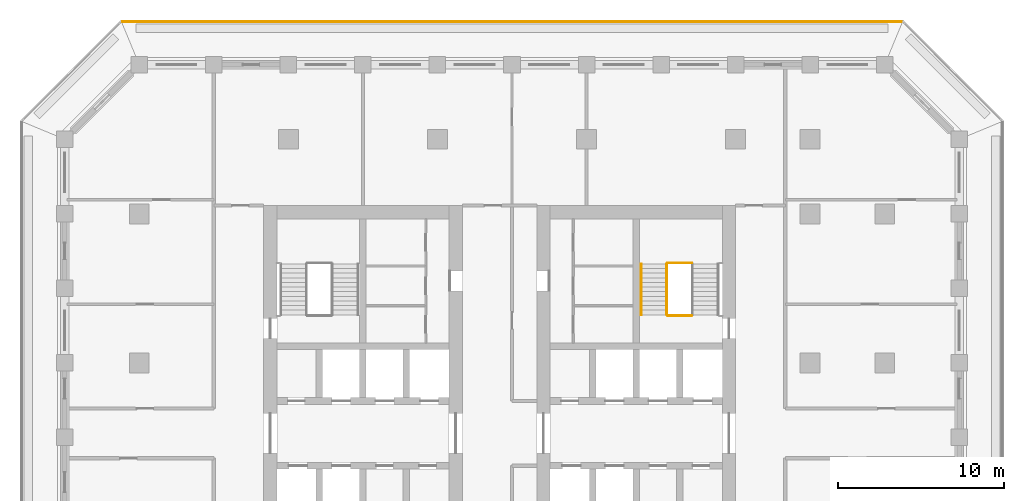
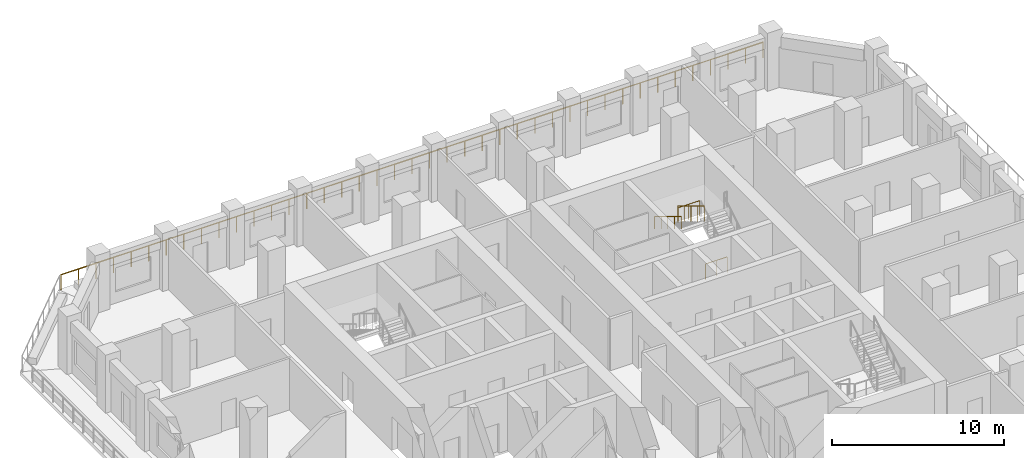
# One storey, part 14 of 16: 5 railings.
"""IFC4 building model written with IfcOpenShell, lengths in metres."""

from ifc_helpers import new_model, si_unit, direction, frame, origin, origin_2d, place, context, subcontext, project, spatial, circle, extrude, material, type_object, element, save


model = new_model("IFC4")

# Units and contexts
model_context = context("Model", 3, precision=1e-05, world=origin(), true_north=direction((0.0, 1.0)))
body_context = subcontext(model_context, "Body", "Model", "MODEL_VIEW")
ifc_project = project(units=[si_unit("LENGTHUNIT", "METRE"), si_unit("AREAUNIT", "SQUARE_METRE"), si_unit("VOLUMEUNIT", "CUBIC_METRE"), si_unit("PLANEANGLEUNIT", "RADIAN"), si_unit("MASSUNIT", "GRAM", prefix="KILO")], contexts=[model_context])

# Site, building, storey
site_placement = place(None, origin())
site = spatial("IfcSite", under=ifc_project, at=site_placement, CompositionType="ELEMENT")
building_placement = place(site_placement, origin())
building = spatial("IfcBuilding", under=site, at=building_placement, Name="Corbel Stack Research Tower", CompositionType="ELEMENT")
storey_placement = place(building_placement, frame((0.0, 0.0, 203.800048828125)))
storey = spatial("IfcBuildingStorey", under=building, at=storey_placement, Name="L46", CompositionType="ELEMENT", Elevation=203.800048828125)

# Railings
ifc_material_1 = material(Name="Steel S355", Category="steel")
railing_type_1 = type_object("IfcRailingType", Name="Stair guard 1100", PredefinedType="GUARDRAIL", material=ifc_material_1)
railing_1_placement = place(storey_placement, frame((15.35009765625, 15.030029296875, 2.050048828125)))
element("IfcRailing", 1, at=railing_1_placement, inside=storey, type_object=railing_type_1, Name="L46 ST-E2 stair guard 2", PredefinedType="GUARDRAIL", context=body_context, shape_type="SweptSolid", body=[
    extrude(circle(Radius=0.02392578125, at=origin_2d()), frame((0.0, 0.0, 1.076171875), z_axis=(-1.0, 0.0, 0.0), x_axis=(0.0, -1.0, 0.0)), (0.0, 0.0, 1.0), 1.4501953125),
    extrude(circle(Radius=0.02099609375, at=origin_2d()), origin(), (0.0, 0.0, 1.0), 1.052001953125),
    extrude(circle(Radius=0.02099609375, at=origin_2d()), frame((-0.72509765625, 0.0, 0.0)), (0.0, 0.0, 1.0), 1.052001953125),
    extrude(circle(Radius=0.02099609375, at=origin_2d()), frame((-1.4501953125, 0.0, 0.0)), (0.0, 0.0, 1.0), 1.052001953125),
])
railing_2_placement = place(storey_placement, frame((13.85009765625, 14.97998046875, 2.220703125)))
element("IfcRailing", 2, at=railing_2_placement, inside=storey, type_object=railing_type_1, Name="L46 ST-E2 stair guard 4", PredefinedType="GUARDRAIL", context=body_context, shape_type="SweptSolid", body=[
    extrude(circle(Radius=0.02392578125, at=origin_2d()), frame((0.0, 0.0, 1.076171875), z_axis=(0.0, -0.853666305674, 0.52082035152), x_axis=(1.0, 0.0, 0.0)), (0.0, 0.0, 1.0), 3.608154296875),
    extrude(circle(Radius=0.02099609375, at=origin_2d()), origin(), (0.0, 0.0, 1.0), 1.052001953125),
    extrude(circle(Radius=0.02099609375, at=origin_2d()), frame((0.0, -0.77001953125, 0.4697265625)), (0.0, 0.0, 1.0), 1.052001953125),
    extrude(circle(Radius=0.02099609375, at=origin_2d()), frame((0.0, -1.5400390625, 0.939453125)), (0.0, 0.0, 1.0), 1.052001953125),
    extrude(circle(Radius=0.02099609375, at=origin_2d()), frame((0.0, -2.31005859375, 1.409423828125)), (0.0, 0.0, 1.0), 1.052001953125),
    extrude(circle(Radius=0.02099609375, at=origin_2d()), frame((0.0, -3.080078125, 1.879150390625)), (0.0, 0.0, 1.0), 1.052001953125),
])
railing_3_placement = place(storey_placement, frame((15.35009765625, 11.85009765625, 0.0)))
element("IfcRailing", 3, at=railing_3_placement, inside=storey, type_object=railing_type_1, Name="L46 ST-E2 stair guard 5", PredefinedType="GUARDRAIL", context=body_context, shape_type="SweptSolid", body=[
    extrude(circle(Radius=0.02392578125, at=origin_2d()), frame((0.0, 0.0, 1.076171875), z_axis=(-1.0, 0.0, 0.0), x_axis=(0.0, -1.0, 0.0)), (0.0, 0.0, 1.0), 1.4501953125),
    extrude(circle(Radius=0.02099609375, at=origin_2d()), origin(), (0.0, 0.0, 1.0), 1.052001953125),
    extrude(circle(Radius=0.02099609375, at=origin_2d()), frame((-0.72509765625, 0.0, 0.0)), (0.0, 0.0, 1.0), 1.052001953125),
    extrude(circle(Radius=0.02099609375, at=origin_2d()), frame((-1.4501953125, 0.0, 0.0)), (0.0, 0.0, 1.0), 1.052001953125),
])
ifc_material_2 = material(Name="Steel S355", Category="steel")
railing_type_2 = type_object("IfcRailingType", Name="Stair handrail 900", PredefinedType="HANDRAIL", material=ifc_material_2)
railing_4_placement = place(storey_placement, frame((12.300048828125, 14.97998046875, 2.220703125)))
element("IfcRailing", 4, at=railing_4_placement, inside=storey, type_object=railing_type_2, Name="L46 ST-E2 stair handrail 2", PredefinedType="HANDRAIL", context=body_context, shape_type="SweptSolid", body=[
    extrude(circle(Radius=0.02392578125, at=origin_2d()), frame((0.0, 0.0, 0.8759765625), z_axis=(0.0, -0.853666305674, 0.52082035152), x_axis=(1.0, 0.0, 0.0)), (0.0, 0.0, 1.0), 3.608154296875),
    extrude(circle(Radius=0.02099609375, at=origin_2d()), origin(), (0.0, 0.0, 1.0), 0.851806640625),
    extrude(circle(Radius=0.02099609375, at=origin_2d()), frame((0.0, -0.77001953125, 0.4697265625)), (0.0, 0.0, 1.0), 0.851806640625),
    extrude(circle(Radius=0.02099609375, at=origin_2d()), frame((0.0, -1.5400390625, 0.939453125)), (0.0, 0.0, 1.0), 0.851806640625),
    extrude(circle(Radius=0.02099609375, at=origin_2d()), frame((0.0, -2.31005859375, 1.409423828125)), (0.0, 0.0, 1.0), 0.851806640625),
    extrude(circle(Radius=0.02099609375, at=origin_2d()), frame((0.0, -3.080078125, 1.879150390625)), (0.0, 0.0, 1.0), 0.851806640625),
])
ifc_material_3 = material(Name="Powder-coated steel guard", Category="steel")
railing_type_3 = type_object("IfcRailingType", Name="Steel and glass guard 1100", PredefinedType="GUARDRAIL", material=ifc_material_3)
railing_5_placement = place(storey_placement, frame((28.00537109375, 29.60009765625, 0.0)))
element("IfcRailing", 5, at=railing_5_placement, inside=storey, type_object=railing_type_3, Name="Loggia guard L46 N", PredefinedType="GUARDRAIL", context=body_context, shape_type="SweptSolid", body=[
    extrude(circle(Radius=0.02392578125, at=origin_2d()), frame((0.0, 0.0, 1.076171875), z_axis=(-1.0, 0.0, 0.0), x_axis=(0.0, -1.0, 0.0)), (0.0, 0.0, 1.0), 47.0107421875),
    extrude(circle(Radius=0.02099609375, at=origin_2d()), origin(), (0.0, 0.0, 1.0), 1.052001953125),
    extrude(circle(Radius=0.02099609375, at=origin_2d()), frame((-1.17529296875, 0.0, 0.0)), (0.0, 0.0, 1.0), 1.052001953125),
    extrude(circle(Radius=0.02099609375, at=origin_2d()), frame((-2.3505859375, 0.0, 0.0)), (0.0, 0.0, 1.0), 1.052001953125),
    extrude(circle(Radius=0.02099609375, at=origin_2d()), frame((-3.52587890625, 0.0, 0.0)), (0.0, 0.0, 1.0), 1.052001953125),
    extrude(circle(Radius=0.02099609375, at=origin_2d()), frame((-4.701171875, 0.0, 0.0)), (0.0, 0.0, 1.0), 1.052001953125),
    extrude(circle(Radius=0.02099609375, at=origin_2d()), frame((-5.87646484375, 0.0, 0.0)), (0.0, 0.0, 1.0), 1.052001953125),
    extrude(circle(Radius=0.02099609375, at=origin_2d()), frame((-7.051513671875, 0.0, 0.0)), (0.0, 0.0, 1.0), 1.052001953125),
    extrude(circle(Radius=0.02099609375, at=origin_2d()), frame((-8.226806640625, 0.0, 0.0)), (0.0, 0.0, 1.0), 1.052001953125),
    extrude(circle(Radius=0.02099609375, at=origin_2d()), frame((-9.402099609375, 0.0, 0.0)), (0.0, 0.0, 1.0), 1.052001953125),
    extrude(circle(Radius=0.02099609375, at=origin_2d()), frame((-10.577392578125, 0.0, 0.0)), (0.0, 0.0, 1.0), 1.052001953125),
    extrude(circle(Radius=0.02099609375, at=origin_2d()), frame((-11.752685546875, 0.0, 0.0)), (0.0, 0.0, 1.0), 1.052001953125),
    extrude(circle(Radius=0.02099609375, at=origin_2d()), frame((-12.927978515625, 0.0, 0.0)), (0.0, 0.0, 1.0), 1.052001953125),
    extrude(circle(Radius=0.02099609375, at=origin_2d()), frame((-14.103271484375, 0.0, 0.0)), (0.0, 0.0, 1.0), 1.052001953125),
    extrude(circle(Radius=0.02099609375, at=origin_2d()), frame((-15.278564453125, 0.0, 0.0)), (0.0, 0.0, 1.0), 1.052001953125),
    extrude(circle(Radius=0.02099609375, at=origin_2d()), frame((-16.453857421875, 0.0, 0.0)), (0.0, 0.0, 1.0), 1.052001953125),
    extrude(circle(Radius=0.02099609375, at=origin_2d()), frame((-17.62890625, 0.0, 0.0)), (0.0, 0.0, 1.0), 1.052001953125),
    extrude(circle(Radius=0.02099609375, at=origin_2d()), frame((-18.80419921875, 0.0, 0.0)), (0.0, 0.0, 1.0), 1.052001953125),
    extrude(circle(Radius=0.02099609375, at=origin_2d()), frame((-19.9794921875, 0.0, 0.0)), (0.0, 0.0, 1.0), 1.052001953125),
    extrude(circle(Radius=0.02099609375, at=origin_2d()), frame((-21.15478515625, 0.0, 0.0)), (0.0, 0.0, 1.0), 1.052001953125),
    extrude(circle(Radius=0.02099609375, at=origin_2d()), frame((-22.330078125, 0.0, 0.0)), (0.0, 0.0, 1.0), 1.052001953125),
    extrude(circle(Radius=0.02099609375, at=origin_2d()), frame((-23.50537109375, 0.0, 0.0)), (0.0, 0.0, 1.0), 1.052001953125),
    extrude(circle(Radius=0.02099609375, at=origin_2d()), frame((-24.6806640625, 0.0, 0.0)), (0.0, 0.0, 1.0), 1.052001953125),
    extrude(circle(Radius=0.02099609375, at=origin_2d()), frame((-25.85595703125, 0.0, 0.0)), (0.0, 0.0, 1.0), 1.052001953125),
    extrude(circle(Radius=0.02099609375, at=origin_2d()), frame((-27.03125, 0.0, 0.0)), (0.0, 0.0, 1.0), 1.052001953125),
    extrude(circle(Radius=0.02099609375, at=origin_2d()), frame((-28.20654296875, 0.0, 0.0)), (0.0, 0.0, 1.0), 1.052001953125),
    extrude(circle(Radius=0.02099609375, at=origin_2d()), frame((-29.3818359375, 0.0, 0.0)), (0.0, 0.0, 1.0), 1.052001953125),
    extrude(circle(Radius=0.02099609375, at=origin_2d()), frame((-30.556884765625, 0.0, 0.0)), (0.0, 0.0, 1.0), 1.052001953125),
    extrude(circle(Radius=0.02099609375, at=origin_2d()), frame((-31.732177734375, 0.0, 0.0)), (0.0, 0.0, 1.0), 1.052001953125),
    extrude(circle(Radius=0.02099609375, at=origin_2d()), frame((-32.907470703125, 0.0, 0.0)), (0.0, 0.0, 1.0), 1.052001953125),
    extrude(circle(Radius=0.02099609375, at=origin_2d()), frame((-34.082763671875, 0.0, 0.0)), (0.0, 0.0, 1.0), 1.052001953125),
    extrude(circle(Radius=0.02099609375, at=origin_2d()), frame((-35.258056640625, 0.0, 0.0)), (0.0, 0.0, 1.0), 1.052001953125),
    extrude(circle(Radius=0.02099609375, at=origin_2d()), frame((-36.433349609375, 0.0, 0.0)), (0.0, 0.0, 1.0), 1.052001953125),
    extrude(circle(Radius=0.02099609375, at=origin_2d()), frame((-37.608642578125, 0.0, 0.0)), (0.0, 0.0, 1.0), 1.052001953125),
    extrude(circle(Radius=0.02099609375, at=origin_2d()), frame((-38.783935546875, 0.0, 0.0)), (0.0, 0.0, 1.0), 1.052001953125),
    extrude(circle(Radius=0.02099609375, at=origin_2d()), frame((-39.959228515625, 0.0, 0.0)), (0.0, 0.0, 1.0), 1.052001953125),
    extrude(circle(Radius=0.02099609375, at=origin_2d()), frame((-41.13427734375, 0.0, 0.0)), (0.0, 0.0, 1.0), 1.052001953125),
    extrude(circle(Radius=0.02099609375, at=origin_2d()), frame((-42.3095703125, 0.0, 0.0)), (0.0, 0.0, 1.0), 1.052001953125),
    extrude(circle(Radius=0.02099609375, at=origin_2d()), frame((-43.48486328125, 0.0, 0.0)), (0.0, 0.0, 1.0), 1.052001953125),
    extrude(circle(Radius=0.02099609375, at=origin_2d()), frame((-44.66015625, 0.0, 0.0)), (0.0, 0.0, 1.0), 1.052001953125),
    extrude(circle(Radius=0.02099609375, at=origin_2d()), frame((-45.83544921875, 0.0, 0.0)), (0.0, 0.0, 1.0), 1.052001953125),
    extrude(circle(Radius=0.02099609375, at=origin_2d()), frame((-47.0107421875, 0.0, 0.0)), (0.0, 0.0, 1.0), 1.052001953125),
])

save(model, "model.ifc")
